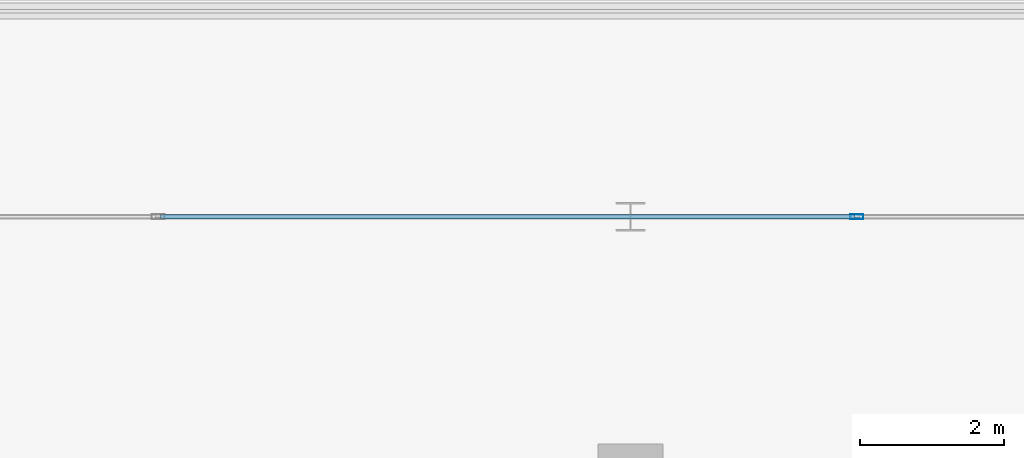
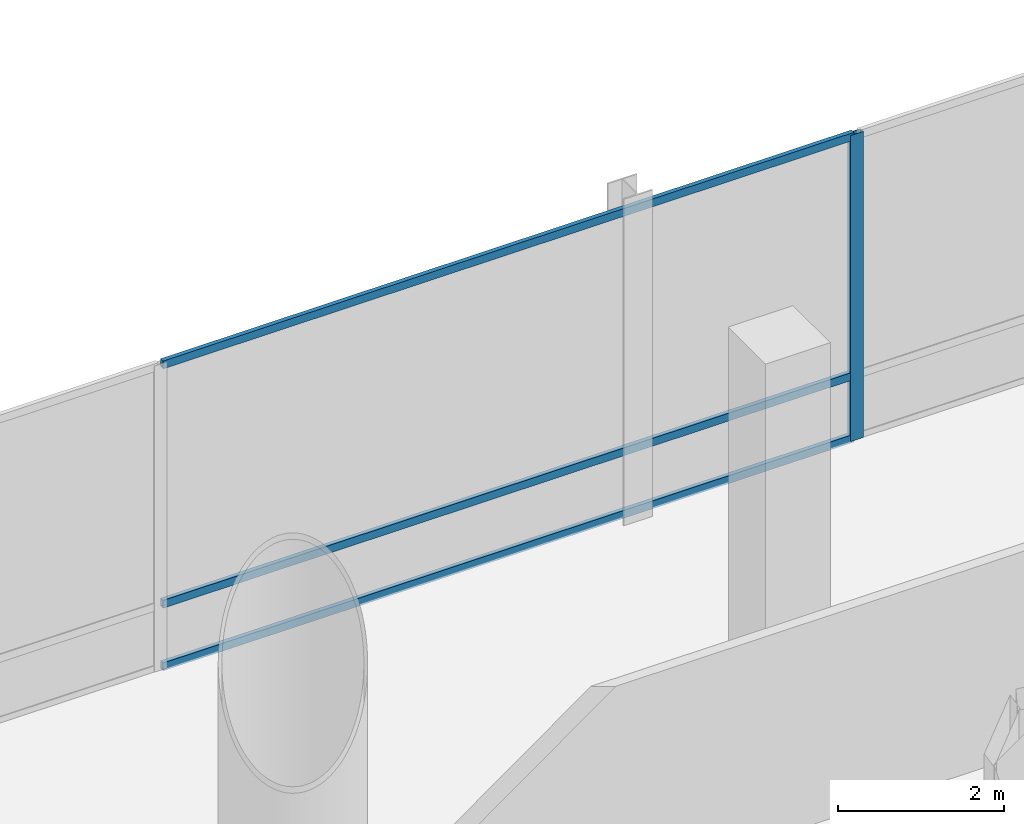
# One storey, part 18 of 39: 4 members, 1 element without a shape of its own.
"""IFC4 building model written with IfcOpenShell, lengths in metres."""

from ifc_helpers import new_model, si_unit, direction, frame, origin, origin_2d, place, context, subcontext, project, spatial, hollow_rectangle, extrude, material, layer, layer_set, material_profile, profile_set, type_object, element, aggregate, save


model = new_model("IFC4")

# Units and contexts
model_context = context("Model", 3, precision=1e-05, world=origin(), true_north=direction((0.0, 1.0)))
body_context = subcontext(model_context, "Body", "Model", "MODEL_VIEW")
ifc_project = project(units=[si_unit("LENGTHUNIT", "METRE"), si_unit("AREAUNIT", "SQUARE_METRE"), si_unit("VOLUMEUNIT", "CUBIC_METRE"), si_unit("PLANEANGLEUNIT", "RADIAN"), si_unit("MASSUNIT", "GRAM", prefix="KILO")], contexts=[model_context])

# Site, building, storey
site_placement = place(None, origin())
site = spatial("IfcSite", under=ifc_project, at=site_placement, CompositionType="ELEMENT")
building_placement = place(site_placement, origin())
building = spatial("IfcBuilding", under=site, at=building_placement, Name="Qianvela Tower", CompositionType="ELEMENT")
storey_placement = place(building_placement, frame((0.0, 0.0, 15.800048828125)))
storey = spatial("IfcBuildingStorey", under=building, at=storey_placement, Name="L03", CompositionType="ELEMENT", Elevation=15.800048828125)

# Curtain wall, members
ifc_material_1 = material(Name="Anodised Architectural Aluminium and Low-E Glass", Category="aluminium")
ifc_layer = layer(ifc_material_1, 0.179931640625)
ifc_layer_set = layer_set([ifc_layer], Name="Anodised Architectural Aluminium and Low-E Glass")
curtain_wall_type = type_object("IfcCurtainWallType", Name="CW-COMMONS", PredefinedType="USERDEFINED", material=ifc_layer_set)
curtain_wall_placement = place(storey_placement, origin())
curtain_wall = element("IfcCurtainWall", 1, at=curtain_wall_placement, inside=storey, type_object=curtain_wall_type, Name="L03 CW-COMMONS Curtain Wall 05", ObjectType="CURTAIN_WALL_SYSTEM", PredefinedType="USERDEFINED")
ifc_material_2 = material(Name="Anodised Architectural Aluminium 6063-T6", Category="aluminium")
ifc_material_profile_1 = material_profile(ifc_material_2, hollow_rectangle(XDim=0.070068359375, YDim=0.179931640625, WallThickness=0.0048828125, at=origin_2d()), Name="ALU-MULL-70x180")
ifc_profile_set_1 = profile_set([ifc_material_profile_1], Name="Anodised Architectural Aluminium 6063-T6")
member_type_1 = type_object("IfcMemberType", Name="CW-COMMONS-MULL", PredefinedType="MULLION", material=ifc_profile_set_1)
member_1_placement = place(storey_placement, frame((47.183349609375, 47.5, 0.0), z_axis=(0.0, 0.0, 1.0), x_axis=(0.0, -1.0, 0.0)))
member_1 = element("IfcMember", 2, at=member_1_placement, type_object=member_type_1, Name="CW-2 mullion 3", PredefinedType="MULLION", context=body_context, shape_type="SweptSolid", body=[
    extrude(hollow_rectangle(XDim=0.070068359375, YDim=0.179931640625, WallThickness=0.0048828125, at=origin_2d()), origin(), (0.0, 0.0, 1.0), 4.5),
])
ifc_material_3 = material(Name="Anodised Architectural Aluminium 6063-T6", Category="aluminium")
ifc_material_profile_2 = material_profile(ifc_material_3, hollow_rectangle(XDim=0.06005859375, YDim=0.114990234375, WallThickness=0.00390625, at=origin_2d()), Name="ALU-TRAN-60x115")
ifc_profile_set_2 = profile_set([ifc_material_profile_2], Name="Anodised Architectural Aluminium 6063-T6")
member_type_2 = type_object("IfcMemberType", Name="CW-COMMONS-TRAN", PredefinedType="USERDEFINED", material=ifc_profile_set_2)
member_2_placement = place(storey_placement, frame((47.1484375, 47.5, 0.030029296875), z_axis=(-1.0, 0.0, 0.0), x_axis=(0.0, -1.0, 0.0)))
member_2 = element("IfcMember", 3, at=member_2_placement, type_object=member_type_2, Name="CW-2 transom 3.1", ObjectType="TRANSOM", PredefinedType="USERDEFINED", context=body_context, shape_type="SweptSolid", body=[
    extrude(hollow_rectangle(XDim=0.06005859375, YDim=0.114990234375, WallThickness=0.00390625, at=origin_2d()), origin(), (0.0, 0.0, 1.0), 9.613525390625),
])
member_3_placement = place(storey_placement, frame((47.1484375, 47.5, 0.949951171875), z_axis=(-1.0, 0.0, 0.0), x_axis=(0.0, -1.0, 0.0)))
member_3 = element("IfcMember", 4, at=member_3_placement, type_object=member_type_2, Name="CW-2 transom 3.2", ObjectType="TRANSOM", PredefinedType="USERDEFINED", context=body_context, shape_type="SweptSolid", body=[
    extrude(hollow_rectangle(XDim=0.06005859375, YDim=0.114990234375, WallThickness=0.00390625, at=origin_2d()), origin(), (0.0, 0.0, 1.0), 9.613525390625),
])
member_4_placement = place(storey_placement, frame((47.1484375, 47.5, 4.469970703125), z_axis=(-1.0, 0.0, 0.0), x_axis=(0.0, -1.0, 0.0)))
member_4 = element("IfcMember", 5, at=member_4_placement, type_object=member_type_2, Name="CW-2 transom 3.3", ObjectType="TRANSOM", PredefinedType="USERDEFINED", context=body_context, shape_type="SweptSolid", body=[
    extrude(hollow_rectangle(XDim=0.06005859375, YDim=0.114990234375, WallThickness=0.00390625, at=origin_2d()), origin(), (0.0, 0.0, 1.0), 9.613525390625),
])
aggregate(curtain_wall, [member_1, member_2, member_3, member_4])

save(model, "model.ifc")
